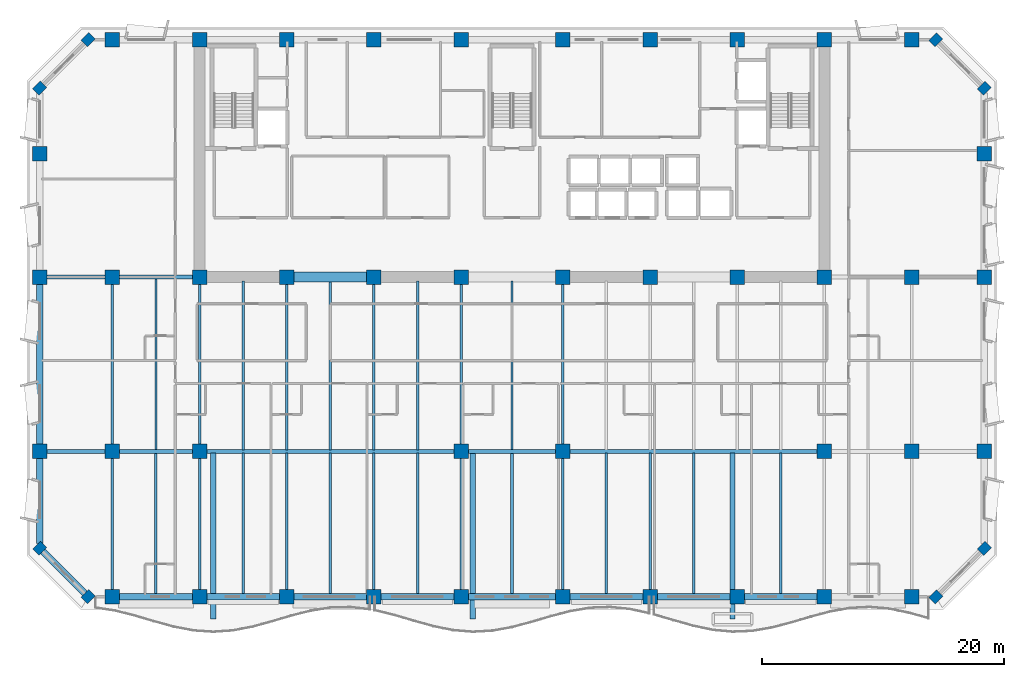
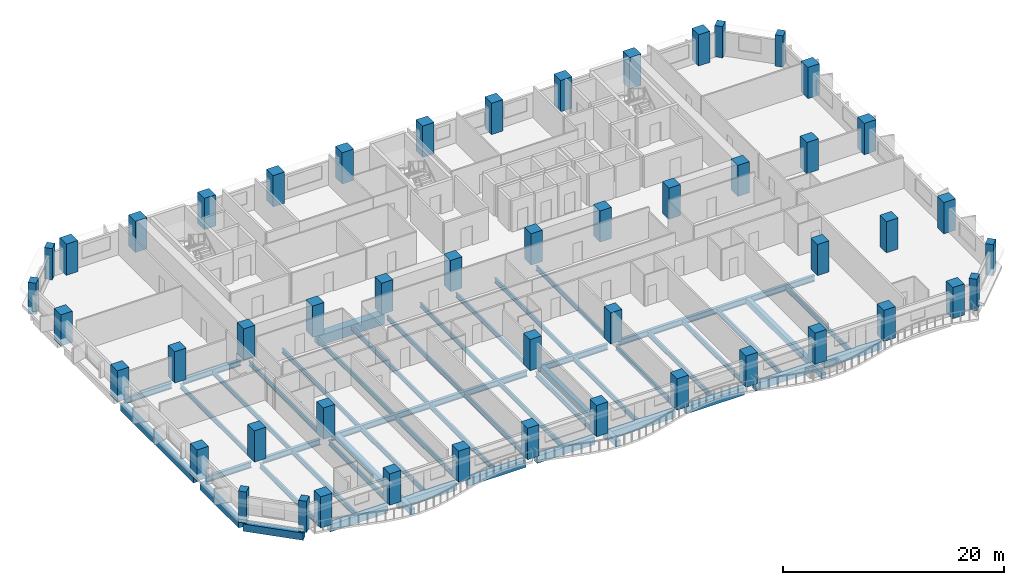
# One storey, part 1 of 15: 50 columns, 48 beams.
"""IFC4 building model written with IfcOpenShell, lengths in metres."""

from ifc_helpers import new_model, si_unit, direction, frame, origin, origin_2d, place, context, subcontext, project, spatial, rectangle, i_section, extrude, material, material_profile, profile_set, type_object, element, save


model = new_model("IFC4")

# Units and contexts
model_context = context("Model", 3, precision=1e-05, world=origin(), true_north=direction((0.0, 1.0)))
body_context = subcontext(model_context, "Body", "Model", "MODEL_VIEW")
ifc_project = project(units=[si_unit("LENGTHUNIT", "METRE"), si_unit("AREAUNIT", "SQUARE_METRE"), si_unit("VOLUMEUNIT", "CUBIC_METRE"), si_unit("PLANEANGLEUNIT", "RADIAN"), si_unit("MASSUNIT", "GRAM", prefix="KILO")], contexts=[model_context])

# Site, building, storey
site_placement = place(None, origin())
site = spatial("IfcSite", under=ifc_project, at=site_placement, CompositionType="ELEMENT")
building_placement = place(site_placement, origin())
building = spatial("IfcBuilding", under=site, at=building_placement, Name="Kaelvorn Grand Hotel", CompositionType="ELEMENT")
storey_placement = place(building_placement, frame((0.0, 0.0, 180.949951171875)))
storey = spatial("IfcBuildingStorey", under=building, at=storey_placement, Name="L44", CompositionType="ELEMENT", Elevation=180.949951171875)

# Columns
ifc_material_1 = material(Name="Concrete C60/75", Category="concrete")
ifc_material_profile_1 = material_profile(ifc_material_1, rectangle(XDim=0.89990234375, YDim=0.75, at=origin_2d()), Name="RC PILASTER 900x750")
ifc_profile_set_1 = profile_set([ifc_material_profile_1], Name="Concrete C60/75")
column_type_1 = type_object("IfcColumnType", Name="COL-PIL-900x750-C60", PredefinedType="PILASTER", material=ifc_profile_set_1)
for number, where, z_axis, x_axis, name in (
    (1, (7.0, 3.0, 0.0), (0.0, 0.0, 1.0), (0.707106781187, 0.707106781187, 0.0), "L44 Structural Column CH-01"),
    (2, (77.0, 3.0, 0.0), (0.0, 0.0, 1.0), (0.707106781187, 0.707106781187, 0.0), "L44 Structural Column CH-02"),
    (3, (81.0, 7.0, 0.0), (0.0, 0.0, 1.0), (0.707106781187, 0.707106781187, 0.0), "L44 Structural Column CH-03"),
    (4, (81.0, 45.0, 0.0), (0.0, 0.0, 1.0), (0.707106781187, 0.707106781187, 0.0), "L44 Structural Column CH-04"),
    (5, (77.0, 49.0, 0.0), (0.0, 0.0, 1.0), (0.707106781187, 0.707106781187, 0.0), "L44 Structural Column CH-05"),
    (6, (7.0, 49.0, 0.0), (0.0, 0.0, 1.0), (0.707106781187, 0.707106781187, 0.0), "L44 Structural Column CH-06"),
    (7, (3.0, 45.0, 0.0), (0.0, 0.0, 1.0), (0.707106781187, 0.707106781187, 0.0), "L44 Structural Column CH-07"),
    (8, (3.0, 7.0, 0.0), (0.0, 0.0, 1.0), (0.707106781187, 0.707106781187, 0.0), "L44 Structural Column CH-08"),
):
    element("IfcColumn", number, at=place(storey_placement, frame(where, z_axis=z_axis, x_axis=x_axis)), inside=storey, type_object=column_type_1, Name=name, PredefinedType="PILASTER", context=body_context, shape_type="SweptSolid", body=[
        extrude(rectangle(XDim=0.89990234375, YDim=0.75, at=origin_2d()), origin(), (0.0, 0.0, 1.0), 3.449951171875),
    ])
ifc_material_profile_2 = material_profile(ifc_material_1, rectangle(XDim=1.199951171875, YDim=1.199951171875, at=origin_2d()), Name="RC COL 1200x1200")
ifc_profile_set_2 = profile_set([ifc_material_profile_2], Name="Concrete C60/75")
column_type_2 = type_object("IfcColumnType", Name="COL-RC-1200-C60", PredefinedType="COLUMN", material=ifc_profile_set_2)
for number, where, z_axis, x_axis, name in (
    (9, (9.0, 3.0, 0.0), (0.0, 0.0, 1.0), (1.0, 0.0, 0.0), "L44 Structural Column S-01"),
    (10, (16.199951171875, 3.0, 0.0), (0.0, 0.0, 1.0), (1.0, 0.0, 0.0), "L44 Structural Column S-02"),
    (11, (23.39990234375, 3.0, 0.0), (0.0, 0.0, 1.0), (1.0, 0.0, 0.0), "L44 Structural Column S-03"),
    (12, (30.60009765625, 3.0, 0.0), (0.0, 0.0, 1.0), (1.0, 0.0, 0.0), "L44 Structural Column S-04"),
    (13, (37.800048828125, 3.0, 0.0), (0.0, 0.0, 1.0), (1.0, 0.0, 0.0), "L44 Structural Column S-05"),
    (14, (46.199951171875, 3.0, 0.0), (0.0, 0.0, 1.0), (1.0, 0.0, 0.0), "L44 Structural Column S-06"),
    (15, (53.39990234375, 3.0, 0.0), (0.0, 0.0, 1.0), (1.0, 0.0, 0.0), "L44 Structural Column S-07"),
    (16, (60.60009765625, 3.0, 0.0), (0.0, 0.0, 1.0), (1.0, 0.0, 0.0), "L44 Structural Column S-08"),
    (17, (67.800048828125, 3.0, 0.0), (0.0, 0.0, 1.0), (1.0, 0.0, 0.0), "L44 Structural Column S-09"),
    (18, (75.0, 3.0, 0.0), (0.0, 0.0, 1.0), (1.0, 0.0, 0.0), "L44 Structural Column S-10"),
    (19, (3.0, 15.0, 0.0), (0.0, 0.0, 1.0), (1.0, 0.0, 0.0), "L44 Structural Column W-01"),
    (20, (81.0, 15.0, 0.0), (0.0, 0.0, 1.0), (1.0, 0.0, 0.0), "L44 Structural Column E-01"),
    (21, (3.0, 29.39990234375, 0.0), (0.0, 0.0, 1.0), (1.0, 0.0, 0.0), "L44 Structural Column W-02"),
    (22, (81.0, 29.39990234375, 0.0), (0.0, 0.0, 1.0), (1.0, 0.0, 0.0), "L44 Structural Column E-02"),
    (23, (3.0, 39.60009765625, 0.0), (0.0, 0.0, 1.0), (1.0, 0.0, 0.0), "L44 Structural Column W-03"),
    (24, (81.0, 39.60009765625, 0.0), (0.0, 0.0, 1.0), (1.0, 0.0, 0.0), "L44 Structural Column E-03"),
    (25, (9.0, 15.0, 0.0), (0.0, 0.0, 1.0), (1.0, 0.0, 0.0), "L44 Structural Column M-01"),
    (26, (16.199951171875, 15.0, 0.0), (0.0, 0.0, 1.0), (1.0, 0.0, 0.0), "L44 Structural Column M-02"),
    (27, (37.800048828125, 15.0, 0.0), (0.0, 0.0, 1.0), (1.0, 0.0, 0.0), "L44 Structural Column M-03"),
    (28, (46.199951171875, 15.0, 0.0), (0.0, 0.0, 1.0), (1.0, 0.0, 0.0), "L44 Structural Column M-04"),
    (29, (67.800048828125, 15.0, 0.0), (0.0, 0.0, 1.0), (1.0, 0.0, 0.0), "L44 Structural Column M-05"),
    (30, (75.0, 15.0, 0.0), (0.0, 0.0, 1.0), (1.0, 0.0, 0.0), "L44 Structural Column M-06"),
    (31, (9.0, 29.39990234375, 0.0), (0.0, 0.0, 1.0), (1.0, 0.0, 0.0), "L44 Structural Column CR1-01"),
    (32, (9.0, 49.0, 0.0), (0.0, 0.0, 1.0), (1.0, 0.0, 0.0), "L44 Structural Column CR2-01"),
    (33, (16.199951171875, 29.39990234375, 0.0), (0.0, 0.0, 1.0), (1.0, 0.0, 0.0), "L44 Structural Column CR1-02"),
    (34, (16.199951171875, 49.0, 0.0), (0.0, 0.0, 1.0), (1.0, 0.0, 0.0), "L44 Structural Column CR2-02"),
    (35, (23.39990234375, 29.39990234375, 0.0), (0.0, 0.0, 1.0), (1.0, 0.0, 0.0), "L44 Structural Column CR1-03"),
    (36, (23.39990234375, 49.0, 0.0), (0.0, 0.0, 1.0), (1.0, 0.0, 0.0), "L44 Structural Column CR2-03"),
    (37, (30.60009765625, 29.39990234375, 0.0), (0.0, 0.0, 1.0), (1.0, 0.0, 0.0), "L44 Structural Column CR1-04"),
    (38, (30.60009765625, 49.0, 0.0), (0.0, 0.0, 1.0), (1.0, 0.0, 0.0), "L44 Structural Column CR2-04"),
    (39, (37.800048828125, 29.39990234375, 0.0), (0.0, 0.0, 1.0), (1.0, 0.0, 0.0), "L44 Structural Column CR1-05"),
    (40, (37.800048828125, 49.0, 0.0), (0.0, 0.0, 1.0), (1.0, 0.0, 0.0), "L44 Structural Column CR2-05"),
    (41, (46.199951171875, 29.39990234375, 0.0), (0.0, 0.0, 1.0), (1.0, 0.0, 0.0), "L44 Structural Column CR1-06"),
    (42, (46.199951171875, 49.0, 0.0), (0.0, 0.0, 1.0), (1.0, 0.0, 0.0), "L44 Structural Column CR2-06"),
    (43, (53.39990234375, 29.39990234375, 0.0), (0.0, 0.0, 1.0), (1.0, 0.0, 0.0), "L44 Structural Column CR1-07"),
    (44, (53.39990234375, 49.0, 0.0), (0.0, 0.0, 1.0), (1.0, 0.0, 0.0), "L44 Structural Column CR2-07"),
    (45, (60.60009765625, 29.39990234375, 0.0), (0.0, 0.0, 1.0), (1.0, 0.0, 0.0), "L44 Structural Column CR1-08"),
    (46, (60.60009765625, 49.0, 0.0), (0.0, 0.0, 1.0), (1.0, 0.0, 0.0), "L44 Structural Column CR2-08"),
    (47, (67.800048828125, 29.39990234375, 0.0), (0.0, 0.0, 1.0), (1.0, 0.0, 0.0), "L44 Structural Column CR1-09"),
    (48, (67.800048828125, 49.0, 0.0), (0.0, 0.0, 1.0), (1.0, 0.0, 0.0), "L44 Structural Column CR2-09"),
    (49, (75.0, 29.39990234375, 0.0), (0.0, 0.0, 1.0), (1.0, 0.0, 0.0), "L44 Structural Column CR1-10"),
    (50, (75.0, 49.0, 0.0), (0.0, 0.0, 1.0), (1.0, 0.0, 0.0), "L44 Structural Column CR2-10"),
):
    element("IfcColumn", number, at=place(storey_placement, frame(where, z_axis=z_axis, x_axis=x_axis)), inside=storey, type_object=column_type_2, Name=name, PredefinedType="COLUMN", context=body_context, shape_type="SweptSolid", body=[
        extrude(rectangle(XDim=1.199951171875, YDim=1.199951171875, at=origin_2d()), origin(), (0.0, 0.0, 1.0), 3.449951171875),
    ])

# Beams
ifc_material_2 = material(Name="Steel S355", Category="steel")
ifc_material_profile_3 = material_profile(ifc_material_2, i_section(OverallWidth=0.300048828125, OverallDepth=0.64990234375, WebThickness=0.01611328125, FlangeThickness=0.031005859375, FilletRadius=0.027099609375, at=origin_2d()), Name="HEB 650")
ifc_profile_set_3 = profile_set([ifc_material_profile_3], Name="Steel S355")
beam_type_1 = type_object("IfcBeamType", Name="BM-G-HEB650-S355", PredefinedType="BEAM", material=ifc_profile_set_3)
beam_1_placement = place(storey_placement, frame((3.5849609375, 15.0, -0.56494140625), z_axis=(1.0, 0.0, 0.0), x_axis=(0.0, 1.0, 0.0)))
element("IfcBeam", 51, at=beam_1_placement, inside=storey, type_object=beam_type_1, Name="L44 Primary Spine Steel Girder G-15 01", PredefinedType="BEAM", context=body_context, shape_type="SweptSolid", body=[
    extrude(i_section(OverallWidth=0.300048828125, OverallDepth=0.64990234375, WebThickness=0.01611328125, FlangeThickness=0.031005859375, FilletRadius=0.027099609375, at=origin_2d()), origin(), (0.0, 0.0, 1.0), 4.830078125),
])
beam_2_placement = place(storey_placement, frame((9.5849609375, 15.0, -0.56494140625), z_axis=(1.0, 0.0, 0.0), x_axis=(0.0, 1.0, 0.0)))
element("IfcBeam", 52, at=beam_2_placement, inside=storey, type_object=beam_type_1, Name="L44 Primary Spine Steel Girder G-15 02", PredefinedType="BEAM", context=body_context, shape_type="SweptSolid", body=[
    extrude(i_section(OverallWidth=0.300048828125, OverallDepth=0.64990234375, WebThickness=0.01611328125, FlangeThickness=0.031005859375, FilletRadius=0.027099609375, at=origin_2d()), origin(), (0.0, 0.0, 1.0), 6.030029296875),
])
beam_3_placement = place(storey_placement, frame((16.784912109375, 15.0, -0.56494140625), z_axis=(1.0, 0.0, 0.0), x_axis=(0.0, 1.0, 0.0)))
element("IfcBeam", 53, at=beam_3_placement, inside=storey, type_object=beam_type_1, Name="L44 Primary Spine Steel Girder G-15 03", PredefinedType="BEAM", context=body_context, shape_type="SweptSolid", body=[
    extrude(i_section(OverallWidth=0.300048828125, OverallDepth=0.64990234375, WebThickness=0.01611328125, FlangeThickness=0.031005859375, FilletRadius=0.027099609375, at=origin_2d()), origin(), (0.0, 0.0, 1.0), 20.43017578125),
])
beam_4_placement = place(storey_placement, frame((38.385009765625, 15.0, -0.56494140625), z_axis=(1.0, 0.0, 0.0), x_axis=(0.0, 1.0, 0.0)))
element("IfcBeam", 54, at=beam_4_placement, inside=storey, type_object=beam_type_1, Name="L44 Primary Spine Steel Girder G-15 04", PredefinedType="BEAM", context=body_context, shape_type="SweptSolid", body=[
    extrude(i_section(OverallWidth=0.300048828125, OverallDepth=0.64990234375, WebThickness=0.01611328125, FlangeThickness=0.031005859375, FilletRadius=0.027099609375, at=origin_2d()), origin(), (0.0, 0.0, 1.0), 7.22998046875),
])
beam_5_placement = place(storey_placement, frame((46.784912109375, 15.0, -0.56494140625), z_axis=(1.0, 0.0, 0.0), x_axis=(0.0, 1.0, 0.0)))
element("IfcBeam", 55, at=beam_5_placement, inside=storey, type_object=beam_type_1, Name="L44 Primary Spine Steel Girder G-15 05", PredefinedType="BEAM", context=body_context, shape_type="SweptSolid", body=[
    extrude(i_section(OverallWidth=0.300048828125, OverallDepth=0.64990234375, WebThickness=0.01611328125, FlangeThickness=0.031005859375, FilletRadius=0.027099609375, at=origin_2d()), origin(), (0.0, 0.0, 1.0), 20.43017578125),
])
beam_6_placement = place(storey_placement, frame((3.5849609375, 29.39990234375, -0.56494140625), z_axis=(1.0, 0.0, 0.0), x_axis=(0.0, 1.0, 0.0)))
element("IfcBeam", 56, at=beam_6_placement, inside=storey, type_object=beam_type_1, Name="L44 West Core Wing Steel Girder G-29W 01", PredefinedType="BEAM", context=body_context, shape_type="SweptSolid", body=[
    extrude(i_section(OverallWidth=0.300048828125, OverallDepth=0.64990234375, WebThickness=0.01611328125, FlangeThickness=0.031005859375, FilletRadius=0.027099609375, at=origin_2d()), origin(), (0.0, 0.0, 1.0), 4.830078125),
])
beam_7_placement = place(storey_placement, frame((9.5849609375, 29.39990234375, -0.56494140625), z_axis=(1.0, 0.0, 0.0), x_axis=(0.0, 1.0, 0.0)))
element("IfcBeam", 57, at=beam_7_placement, inside=storey, type_object=beam_type_1, Name="L44 West Core Wing Steel Girder G-29W 02", PredefinedType="BEAM", context=body_context, shape_type="SweptSolid", body=[
    extrude(i_section(OverallWidth=0.300048828125, OverallDepth=0.64990234375, WebThickness=0.01611328125, FlangeThickness=0.031005859375, FilletRadius=0.027099609375, at=origin_2d()), origin(), (0.0, 0.0, 1.0), 6.030029296875),
])
ifc_material_profile_4 = material_profile(ifc_material_2, i_section(OverallWidth=0.199951171875, OverallDepth=0.5, WebThickness=0.01025390625, FlangeThickness=0.01611328125, FilletRadius=0.02099609375, at=origin_2d()), Name="IPE 500")
ifc_profile_set_4 = profile_set([ifc_material_profile_4], Name="Steel S355")
beam_type_2 = type_object("IfcBeamType", Name="BM-J-IPE500-S355", PredefinedType="JOIST", material=ifc_profile_set_4)
beam_8_placement = place(storey_placement, frame((9.0, 15.5849609375, -0.489990234375), z_axis=(0.0, 1.0, 0.0), x_axis=(-1.0, 0.0, 0.0)))
element("IfcBeam", 58, at=beam_8_placement, inside=storey, type_object=beam_type_2, Name="L44 Composite Floor Joist JM-03", PredefinedType="JOIST", context=body_context, shape_type="SweptSolid", body=[
    extrude(i_section(OverallWidth=0.199951171875, OverallDepth=0.5, WebThickness=0.01025390625, FlangeThickness=0.01611328125, FilletRadius=0.02099609375, at=origin_2d()), origin(), (0.0, 0.0, 1.0), 13.22998046875),
])
beam_9_placement = place(storey_placement, frame((12.60009765625, 15.135009765625, -0.489990234375), z_axis=(0.0, 1.0, 0.0), x_axis=(-1.0, 0.0, 0.0)))
element("IfcBeam", 59, at=beam_9_placement, inside=storey, type_object=beam_type_2, Name="L44 Composite Floor Joist JM-04", PredefinedType="JOIST", context=body_context, shape_type="SweptSolid", body=[
    extrude(i_section(OverallWidth=0.199951171875, OverallDepth=0.5, WebThickness=0.01025390625, FlangeThickness=0.01611328125, FilletRadius=0.02099609375, at=origin_2d()), origin(), (0.0, 0.0, 1.0), 14.1298828125),
])
beam_10_placement = place(storey_placement, frame((16.199951171875, 15.5849609375, -0.489990234375), z_axis=(0.0, 1.0, 0.0), x_axis=(-1.0, 0.0, 0.0)))
element("IfcBeam", 60, at=beam_10_placement, inside=storey, type_object=beam_type_2, Name="L44 Composite Floor Joist JM-05", PredefinedType="JOIST", context=body_context, shape_type="SweptSolid", body=[
    extrude(i_section(OverallWidth=0.199951171875, OverallDepth=0.5, WebThickness=0.01025390625, FlangeThickness=0.01611328125, FilletRadius=0.02099609375, at=origin_2d()), origin(), (0.0, 0.0, 1.0), 13.22998046875),
])
beam_11_placement = place(storey_placement, frame((19.800048828125, 15.135009765625, -0.489990234375), z_axis=(0.0, 1.0, 0.0), x_axis=(-1.0, 0.0, 0.0)))
element("IfcBeam", 61, at=beam_11_placement, inside=storey, type_object=beam_type_2, Name="L44 Composite Floor Joist JM-06", PredefinedType="JOIST", context=body_context, shape_type="SweptSolid", body=[
    extrude(i_section(OverallWidth=0.199951171875, OverallDepth=0.5, WebThickness=0.01025390625, FlangeThickness=0.01611328125, FilletRadius=0.02099609375, at=origin_2d()), origin(), (0.0, 0.0, 1.0), 13.925048828125),
])
beam_12_placement = place(storey_placement, frame((23.39990234375, 15.135009765625, -0.489990234375), z_axis=(0.0, 1.0, 0.0), x_axis=(-1.0, 0.0, 0.0)))
element("IfcBeam", 62, at=beam_12_placement, inside=storey, type_object=beam_type_2, Name="L44 Composite Floor Joist JM-07", PredefinedType="JOIST", context=body_context, shape_type="SweptSolid", body=[
    extrude(i_section(OverallWidth=0.199951171875, OverallDepth=0.5, WebThickness=0.01025390625, FlangeThickness=0.01611328125, FilletRadius=0.02099609375, at=origin_2d()), origin(), (0.0, 0.0, 1.0), 13.679931640625),
])
beam_13_placement = place(storey_placement, frame((27.0, 15.135009765625, -0.489990234375), z_axis=(0.0, 1.0, 0.0), x_axis=(-1.0, 0.0, 0.0)))
element("IfcBeam", 63, at=beam_13_placement, inside=storey, type_object=beam_type_2, Name="L44 Composite Floor Joist JM-08", PredefinedType="JOIST", context=body_context, shape_type="SweptSolid", body=[
    extrude(i_section(OverallWidth=0.199951171875, OverallDepth=0.5, WebThickness=0.01025390625, FlangeThickness=0.01611328125, FilletRadius=0.02099609375, at=origin_2d()), origin(), (0.0, 0.0, 1.0), 13.925048828125),
])
beam_14_placement = place(storey_placement, frame((30.60009765625, 15.135009765625, -0.489990234375), z_axis=(0.0, 1.0, 0.0), x_axis=(-1.0, 0.0, 0.0)))
element("IfcBeam", 64, at=beam_14_placement, inside=storey, type_object=beam_type_2, Name="L44 Composite Floor Joist JM-09", PredefinedType="JOIST", context=body_context, shape_type="SweptSolid", body=[
    extrude(i_section(OverallWidth=0.199951171875, OverallDepth=0.5, WebThickness=0.01025390625, FlangeThickness=0.01611328125, FilletRadius=0.02099609375, at=origin_2d()), origin(), (0.0, 0.0, 1.0), 13.679931640625),
])
beam_15_placement = place(storey_placement, frame((34.199951171875, 15.135009765625, -0.489990234375), z_axis=(0.0, 1.0, 0.0), x_axis=(-1.0, 0.0, 0.0)))
element("IfcBeam", 65, at=beam_15_placement, inside=storey, type_object=beam_type_2, Name="L44 Composite Floor Joist JM-10", PredefinedType="JOIST", context=body_context, shape_type="SweptSolid", body=[
    extrude(i_section(OverallWidth=0.199951171875, OverallDepth=0.5, WebThickness=0.01025390625, FlangeThickness=0.01611328125, FilletRadius=0.02099609375, at=origin_2d()), origin(), (0.0, 0.0, 1.0), 13.925048828125),
])
beam_16_placement = place(storey_placement, frame((37.800048828125, 15.5849609375, -0.489990234375), z_axis=(0.0, 1.0, 0.0), x_axis=(-1.0, 0.0, 0.0)))
element("IfcBeam", 66, at=beam_16_placement, inside=storey, type_object=beam_type_2, Name="L44 Composite Floor Joist JM-11", PredefinedType="JOIST", context=body_context, shape_type="SweptSolid", body=[
    extrude(i_section(OverallWidth=0.199951171875, OverallDepth=0.5, WebThickness=0.01025390625, FlangeThickness=0.01611328125, FilletRadius=0.02099609375, at=origin_2d()), origin(), (0.0, 0.0, 1.0), 13.22998046875),
])
beam_17_placement = place(storey_placement, frame((42.0, 15.135009765625, -0.489990234375), z_axis=(0.0, 1.0, 0.0), x_axis=(-1.0, 0.0, 0.0)))
element("IfcBeam", 67, at=beam_17_placement, inside=storey, type_object=beam_type_2, Name="L44 Composite Floor Joist JM-12", PredefinedType="JOIST", context=body_context, shape_type="SweptSolid", body=[
    extrude(i_section(OverallWidth=0.199951171875, OverallDepth=0.5, WebThickness=0.01025390625, FlangeThickness=0.01611328125, FilletRadius=0.02099609375, at=origin_2d()), origin(), (0.0, 0.0, 1.0), 13.925048828125),
])
beam_18_placement = place(storey_placement, frame((46.199951171875, 15.5849609375, -0.489990234375), z_axis=(0.0, 1.0, 0.0), x_axis=(-1.0, 0.0, 0.0)))
element("IfcBeam", 68, at=beam_18_placement, inside=storey, type_object=beam_type_2, Name="L44 Composite Floor Joist JM-13", PredefinedType="JOIST", context=body_context, shape_type="SweptSolid", body=[
    extrude(i_section(OverallWidth=0.199951171875, OverallDepth=0.5, WebThickness=0.01025390625, FlangeThickness=0.01611328125, FilletRadius=0.02099609375, at=origin_2d()), origin(), (0.0, 0.0, 1.0), 13.22998046875),
])
ifc_material_profile_5 = material_profile(ifc_material_2, i_section(OverallWidth=0.2099609375, OverallDepth=0.550048828125, WebThickness=0.010986328125, FlangeThickness=0.01708984375, FilletRadius=0.02392578125, at=origin_2d()), Name="IPE 550")
ifc_profile_set_5 = profile_set([ifc_material_profile_5], Name="Steel S355")
beam_type_3 = type_object("IfcBeamType", Name="BM-J-IPE550-S355", PredefinedType="JOIST", material=ifc_profile_set_5)
beam_19_placement = place(storey_placement, frame((9.0, 3.5849609375, -0.514892578125), z_axis=(0.0, 1.0, 0.0), x_axis=(-1.0, 0.0, 0.0)))
element("IfcBeam", 69, at=beam_19_placement, inside=storey, type_object=beam_type_3, Name="L44 Composite Floor Joist JS-03", PredefinedType="JOIST", context=body_context, shape_type="SweptSolid", body=[
    extrude(i_section(OverallWidth=0.2099609375, OverallDepth=0.550048828125, WebThickness=0.010986328125, FlangeThickness=0.01708984375, FilletRadius=0.02392578125, at=origin_2d()), origin(), (0.0, 0.0, 1.0), 10.830078125),
])
beam_20_placement = place(storey_placement, frame((12.60009765625, 3.260009765625, -0.514892578125), z_axis=(0.0, 1.0, 0.0), x_axis=(-1.0, 0.0, 0.0)))
element("IfcBeam", 70, at=beam_20_placement, inside=storey, type_object=beam_type_3, Name="L44 Composite Floor Joist JS-04", PredefinedType="JOIST", context=body_context, shape_type="SweptSolid", body=[
    extrude(i_section(OverallWidth=0.2099609375, OverallDepth=0.550048828125, WebThickness=0.010986328125, FlangeThickness=0.01708984375, FilletRadius=0.02392578125, at=origin_2d()), origin(), (0.0, 0.0, 1.0), 11.60498046875),
])
beam_21_placement = place(storey_placement, frame((16.199951171875, 3.5849609375, -0.514892578125), z_axis=(0.0, 1.0, 0.0), x_axis=(-1.0, 0.0, 0.0)))
element("IfcBeam", 71, at=beam_21_placement, inside=storey, type_object=beam_type_3, Name="L44 Composite Floor Joist JS-05", PredefinedType="JOIST", context=body_context, shape_type="SweptSolid", body=[
    extrude(i_section(OverallWidth=0.2099609375, OverallDepth=0.550048828125, WebThickness=0.010986328125, FlangeThickness=0.01708984375, FilletRadius=0.02392578125, at=origin_2d()), origin(), (0.0, 0.0, 1.0), 10.830078125),
])
beam_22_placement = place(storey_placement, frame((19.800048828125, 3.260009765625, -0.514892578125), z_axis=(0.0, 1.0, 0.0), x_axis=(-1.0, 0.0, 0.0)))
element("IfcBeam", 72, at=beam_22_placement, inside=storey, type_object=beam_type_3, Name="L44 Composite Floor Joist JS-06", PredefinedType="JOIST", context=body_context, shape_type="SweptSolid", body=[
    extrude(i_section(OverallWidth=0.2099609375, OverallDepth=0.550048828125, WebThickness=0.010986328125, FlangeThickness=0.01708984375, FilletRadius=0.02392578125, at=origin_2d()), origin(), (0.0, 0.0, 1.0), 11.60498046875),
])
beam_23_placement = place(storey_placement, frame((23.39990234375, 3.5849609375, -0.514892578125), z_axis=(0.0, 1.0, 0.0), x_axis=(-1.0, 0.0, 0.0)))
element("IfcBeam", 73, at=beam_23_placement, inside=storey, type_object=beam_type_3, Name="L44 Composite Floor Joist JS-07", PredefinedType="JOIST", context=body_context, shape_type="SweptSolid", body=[
    extrude(i_section(OverallWidth=0.2099609375, OverallDepth=0.550048828125, WebThickness=0.010986328125, FlangeThickness=0.01708984375, FilletRadius=0.02392578125, at=origin_2d()), origin(), (0.0, 0.0, 1.0), 11.280029296875),
])
beam_24_placement = place(storey_placement, frame((27.0, 3.260009765625, -0.514892578125), z_axis=(0.0, 1.0, 0.0), x_axis=(-1.0, 0.0, 0.0)))
element("IfcBeam", 74, at=beam_24_placement, inside=storey, type_object=beam_type_3, Name="L44 Composite Floor Joist JS-08", PredefinedType="JOIST", context=body_context, shape_type="SweptSolid", body=[
    extrude(i_section(OverallWidth=0.2099609375, OverallDepth=0.550048828125, WebThickness=0.010986328125, FlangeThickness=0.01708984375, FilletRadius=0.02392578125, at=origin_2d()), origin(), (0.0, 0.0, 1.0), 11.60498046875),
])
beam_25_placement = place(storey_placement, frame((30.60009765625, 3.5849609375, -0.514892578125), z_axis=(0.0, 1.0, 0.0), x_axis=(-1.0, 0.0, 0.0)))
element("IfcBeam", 75, at=beam_25_placement, inside=storey, type_object=beam_type_3, Name="L44 Composite Floor Joist JS-09", PredefinedType="JOIST", context=body_context, shape_type="SweptSolid", body=[
    extrude(i_section(OverallWidth=0.2099609375, OverallDepth=0.550048828125, WebThickness=0.010986328125, FlangeThickness=0.01708984375, FilletRadius=0.02392578125, at=origin_2d()), origin(), (0.0, 0.0, 1.0), 11.280029296875),
])
beam_26_placement = place(storey_placement, frame((34.199951171875, 3.260009765625, -0.514892578125), z_axis=(0.0, 1.0, 0.0), x_axis=(-1.0, 0.0, 0.0)))
element("IfcBeam", 76, at=beam_26_placement, inside=storey, type_object=beam_type_3, Name="L44 Composite Floor Joist JS-10", PredefinedType="JOIST", context=body_context, shape_type="SweptSolid", body=[
    extrude(i_section(OverallWidth=0.2099609375, OverallDepth=0.550048828125, WebThickness=0.010986328125, FlangeThickness=0.01708984375, FilletRadius=0.02392578125, at=origin_2d()), origin(), (0.0, 0.0, 1.0), 11.60498046875),
])
beam_27_placement = place(storey_placement, frame((37.800048828125, 3.5849609375, -0.514892578125), z_axis=(0.0, 1.0, 0.0), x_axis=(-1.0, 0.0, 0.0)))
element("IfcBeam", 77, at=beam_27_placement, inside=storey, type_object=beam_type_3, Name="L44 Composite Floor Joist JS-11", PredefinedType="JOIST", context=body_context, shape_type="SweptSolid", body=[
    extrude(i_section(OverallWidth=0.2099609375, OverallDepth=0.550048828125, WebThickness=0.010986328125, FlangeThickness=0.01708984375, FilletRadius=0.02392578125, at=origin_2d()), origin(), (0.0, 0.0, 1.0), 10.830078125),
])
beam_28_placement = place(storey_placement, frame((42.0, 3.260009765625, -0.514892578125), z_axis=(0.0, 1.0, 0.0), x_axis=(-1.0, 0.0, 0.0)))
element("IfcBeam", 78, at=beam_28_placement, inside=storey, type_object=beam_type_3, Name="L44 Composite Floor Joist JS-12", PredefinedType="JOIST", context=body_context, shape_type="SweptSolid", body=[
    extrude(i_section(OverallWidth=0.2099609375, OverallDepth=0.550048828125, WebThickness=0.010986328125, FlangeThickness=0.01708984375, FilletRadius=0.02392578125, at=origin_2d()), origin(), (0.0, 0.0, 1.0), 11.60498046875),
])
beam_29_placement = place(storey_placement, frame((46.199951171875, 3.5849609375, -0.514892578125), z_axis=(0.0, 1.0, 0.0), x_axis=(-1.0, 0.0, 0.0)))
element("IfcBeam", 79, at=beam_29_placement, inside=storey, type_object=beam_type_3, Name="L44 Composite Floor Joist JS-13", PredefinedType="JOIST", context=body_context, shape_type="SweptSolid", body=[
    extrude(i_section(OverallWidth=0.2099609375, OverallDepth=0.550048828125, WebThickness=0.010986328125, FlangeThickness=0.01708984375, FilletRadius=0.02392578125, at=origin_2d()), origin(), (0.0, 0.0, 1.0), 10.830078125),
])
beam_30_placement = place(storey_placement, frame((49.800048828125, 3.260009765625, -0.514892578125), z_axis=(0.0, 1.0, 0.0), x_axis=(-1.0, 0.0, 0.0)))
element("IfcBeam", 80, at=beam_30_placement, inside=storey, type_object=beam_type_3, Name="L44 Composite Floor Joist JS-14", PredefinedType="JOIST", context=body_context, shape_type="SweptSolid", body=[
    extrude(i_section(OverallWidth=0.2099609375, OverallDepth=0.550048828125, WebThickness=0.010986328125, FlangeThickness=0.01708984375, FilletRadius=0.02392578125, at=origin_2d()), origin(), (0.0, 0.0, 1.0), 11.60498046875),
])
beam_31_placement = place(storey_placement, frame((53.39990234375, 3.5849609375, -0.514892578125), z_axis=(0.0, 1.0, 0.0), x_axis=(-1.0, 0.0, 0.0)))
element("IfcBeam", 81, at=beam_31_placement, inside=storey, type_object=beam_type_3, Name="L44 Composite Floor Joist JS-15", PredefinedType="JOIST", context=body_context, shape_type="SweptSolid", body=[
    extrude(i_section(OverallWidth=0.2099609375, OverallDepth=0.550048828125, WebThickness=0.010986328125, FlangeThickness=0.01708984375, FilletRadius=0.02392578125, at=origin_2d()), origin(), (0.0, 0.0, 1.0), 11.280029296875),
])
for number, where, z_axis, x_axis, name in (
    (82, (57.0, 3.260009765625, -0.514892578125), (0.0, 1.0, 0.0), (-1.0, 0.0, 0.0), "L44 Composite Floor Joist JS-16"),
    (83, (64.199951171875, 3.260009765625, -0.514892578125), (0.0, 1.0, 0.0), (-1.0, 0.0, 0.0), "L44 Composite Floor Joist JS-18"),
):
    element("IfcBeam", number, at=place(storey_placement, frame(where, z_axis=z_axis, x_axis=x_axis)), inside=storey, type_object=beam_type_3, Name=name, PredefinedType="JOIST", context=body_context, shape_type="SweptSolid", body=[
        extrude(i_section(OverallWidth=0.2099609375, OverallDepth=0.550048828125, WebThickness=0.010986328125, FlangeThickness=0.01708984375, FilletRadius=0.02392578125, at=origin_2d()), origin(), (0.0, 0.0, 1.0), 11.60498046875),
    ])
ifc_material_profile_6 = material_profile(ifc_material_1, rectangle(XDim=0.800048828125, YDim=1.10009765625, at=origin_2d()), Name="RC LINTEL 800x1100")
ifc_profile_set_6 = profile_set([ifc_material_profile_6], Name="Concrete C60/75")
beam_type_4 = type_object("IfcBeamType", Name="BM-LIN-800x1100-C60", PredefinedType="LINTEL", material=ifc_profile_set_6)
beam_32_placement = place(storey_placement, frame((23.580078125, 29.39990234375, -0.7900390625), z_axis=(1.0, 0.0, 0.0), x_axis=(0.0, 1.0, 0.0)))
element("IfcBeam", 84, at=beam_32_placement, inside=storey, type_object=beam_type_4, Name="L44 Rear-Core Coupling Lintel Beam CB1-01", PredefinedType="LINTEL", context=body_context, shape_type="SweptSolid", body=[
    extrude(rectangle(XDim=0.800048828125, YDim=1.10009765625, at=origin_2d()), origin(), (0.0, 0.0, 1.0), 6.83984375),
])
ifc_material_3 = material(Name="Concrete C40/50", Category="concrete")
ifc_material_profile_7 = material_profile(ifc_material_3, rectangle(XDim=0.449951171875, YDim=0.64990234375, at=origin_2d()), Name="RC RIB 450x650")
ifc_profile_set_7 = profile_set([ifc_material_profile_7], Name="Concrete C40/50")
beam_type_5 = type_object("IfcBeamType", Name="BM-RIB-450x650-C40", PredefinedType="SPANDREL", material=ifc_profile_set_7)
for number, where, z_axis, x_axis, name in (
    (85, (17.314208984375, 1.14990234375, -0.544921875), (0.0, 1.0, 0.0), (-1.0, 0.0, 0.0), "L44 Cantilevered Balcony Back-Span Rib RB1-1"),
    (86, (38.761962890625, 1.14990234375, -0.544921875), (0.0, 1.0, 0.0), (-1.0, 0.0, 0.0), "L44 Cantilevered Balcony Back-Span Rib RB1-2"),
    (87, (60.20947265625, 1.14990234375, -0.544921875), (0.0, 1.0, 0.0), (-1.0, 0.0, 0.0), "L44 Cantilevered Balcony Back-Span Rib RB1-3"),
):
    element("IfcBeam", number, at=place(storey_placement, frame(where, z_axis=z_axis, x_axis=x_axis)), inside=storey, type_object=beam_type_5, Name=name, PredefinedType="SPANDREL", context=body_context, shape_type="SweptSolid", body=[
        extrude(rectangle(XDim=0.449951171875, YDim=0.64990234375, at=origin_2d()), origin(), (0.0, 0.0, 1.0), 13.715087890625),
    ])
ifc_material_4 = material(Name="Concrete C50/60", Category="concrete")
ifc_material_profile_8 = material_profile(ifc_material_4, rectangle(XDim=0.550048828125, YDim=0.800048828125, at=origin_2d()), Name="RC SPANDREL 550x800")
ifc_profile_set_8 = profile_set([ifc_material_profile_8], Name="Concrete C50/60")
beam_type_6 = type_object("IfcBeamType", Name="BM-SP-550x800-C50", PredefinedType="SPANDREL", material=ifc_profile_set_8)
for number, where, z_axis, x_axis, name in (
    (88, (9.5849609375, 3.0, -0.639892578125), (1.0, 0.0, 0.0), (0.0, 1.0, 0.0), "L44 South Perimeter Spandrel 02"),
    (89, (16.784912109375, 3.0, -0.639892578125), (1.0, 0.0, 0.0), (0.0, 1.0, 0.0), "L44 South Perimeter Spandrel 03"),
):
    element("IfcBeam", number, at=place(storey_placement, frame(where, z_axis=z_axis, x_axis=x_axis)), inside=storey, type_object=beam_type_6, Name=name, PredefinedType="SPANDREL", context=body_context, shape_type="SweptSolid", body=[
        extrude(rectangle(XDim=0.550048828125, YDim=0.800048828125, at=origin_2d()), origin(), (0.0, 0.0, 1.0), 6.030029296875),
    ])
beam_33_placement = place(storey_placement, frame((23.985107421875, 3.0, -0.639892578125), z_axis=(1.0, 0.0, 0.0), x_axis=(0.0, 1.0, 0.0)))
element("IfcBeam", 90, at=beam_33_placement, inside=storey, type_object=beam_type_6, Name="L44 South Perimeter Spandrel 04", PredefinedType="SPANDREL", context=body_context, shape_type="SweptSolid", body=[
    extrude(rectangle(XDim=0.550048828125, YDim=0.800048828125, at=origin_2d()), origin(), (0.0, 0.0, 1.0), 6.02978515625),
])
beam_34_placement = place(storey_placement, frame((31.18505859375, 3.0, -0.639892578125), z_axis=(1.0, 0.0, 0.0), x_axis=(0.0, 1.0, 0.0)))
element("IfcBeam", 91, at=beam_34_placement, inside=storey, type_object=beam_type_6, Name="L44 South Perimeter Spandrel 05", PredefinedType="SPANDREL", context=body_context, shape_type="SweptSolid", body=[
    extrude(rectangle(XDim=0.550048828125, YDim=0.800048828125, at=origin_2d()), origin(), (0.0, 0.0, 1.0), 6.030029296875),
])
beam_35_placement = place(storey_placement, frame((38.385009765625, 3.0, -0.639892578125), z_axis=(1.0, 0.0, 0.0), x_axis=(0.0, 1.0, 0.0)))
element("IfcBeam", 92, at=beam_35_placement, inside=storey, type_object=beam_type_6, Name="L44 South Perimeter Spandrel 06", PredefinedType="SPANDREL", context=body_context, shape_type="SweptSolid", body=[
    extrude(rectangle(XDim=0.550048828125, YDim=0.800048828125, at=origin_2d()), origin(), (0.0, 0.0, 1.0), 7.22998046875),
])
beam_36_placement = place(storey_placement, frame((46.784912109375, 3.0, -0.639892578125), z_axis=(1.0, 0.0, 0.0), x_axis=(0.0, 1.0, 0.0)))
element("IfcBeam", 93, at=beam_36_placement, inside=storey, type_object=beam_type_6, Name="L44 South Perimeter Spandrel 07", PredefinedType="SPANDREL", context=body_context, shape_type="SweptSolid", body=[
    extrude(rectangle(XDim=0.550048828125, YDim=0.800048828125, at=origin_2d()), origin(), (0.0, 0.0, 1.0), 6.030029296875),
])
beam_37_placement = place(storey_placement, frame((53.985107421875, 3.0, -0.639892578125), z_axis=(1.0, 0.0, 0.0), x_axis=(0.0, 1.0, 0.0)))
element("IfcBeam", 94, at=beam_37_placement, inside=storey, type_object=beam_type_6, Name="L44 South Perimeter Spandrel 08", PredefinedType="SPANDREL", context=body_context, shape_type="SweptSolid", body=[
    extrude(rectangle(XDim=0.550048828125, YDim=0.800048828125, at=origin_2d()), origin(), (0.0, 0.0, 1.0), 6.02978515625),
])
beam_38_placement = place(storey_placement, frame((61.18505859375, 3.0, -0.639892578125), z_axis=(1.0, 0.0, 0.0), x_axis=(0.0, 1.0, 0.0)))
element("IfcBeam", 95, at=beam_38_placement, inside=storey, type_object=beam_type_6, Name="L44 South Perimeter Spandrel 09", PredefinedType="SPANDREL", context=body_context, shape_type="SweptSolid", body=[
    extrude(rectangle(XDim=0.550048828125, YDim=0.800048828125, at=origin_2d()), origin(), (0.0, 0.0, 1.0), 6.030029296875),
])
beam_39_placement = place(storey_placement, frame((3.0, 7.405029296875, -0.639892578125), z_axis=(0.0, 1.0, 0.0), x_axis=(-1.0, 0.0, 0.0)))
element("IfcBeam", 96, at=beam_39_placement, inside=storey, type_object=beam_type_6, Name="L44 West Perimeter Spandrel 01", PredefinedType="SPANDREL", context=body_context, shape_type="SweptSolid", body=[
    extrude(rectangle(XDim=0.550048828125, YDim=0.800048828125, at=origin_2d()), origin(), (0.0, 0.0, 1.0), 7.010009765625),
])
beam_40_placement = place(storey_placement, frame((3.0, 15.5849609375, -0.639892578125), z_axis=(0.0, 1.0, 0.0), x_axis=(-1.0, 0.0, 0.0)))
element("IfcBeam", 97, at=beam_40_placement, inside=storey, type_object=beam_type_6, Name="L44 West Perimeter Spandrel 02", PredefinedType="SPANDREL", context=body_context, shape_type="SweptSolid", body=[
    extrude(rectangle(XDim=0.550048828125, YDim=0.800048828125, at=origin_2d()), origin(), (0.0, 0.0, 1.0), 13.22998046875),
])
beam_41_placement = place(storey_placement, frame((3.0, 7.0, -0.639892578125), z_axis=(0.707106781187, -0.707106781187, 0.0), x_axis=(0.707106781187, 0.707106781187, 0.0)))
element("IfcBeam", 98, at=beam_41_placement, inside=storey, type_object=beam_type_6, Name="L44 Chamfer Spandrel Beam 4", PredefinedType="SPANDREL", context=body_context, shape_type="SweptSolid", body=[
    extrude(rectangle(XDim=0.550048828125, YDim=0.800048828125, at=origin_2d()), origin(), (0.0, 0.0, 1.0), 5.65673828125),
])

save(model, "model.ifc")
